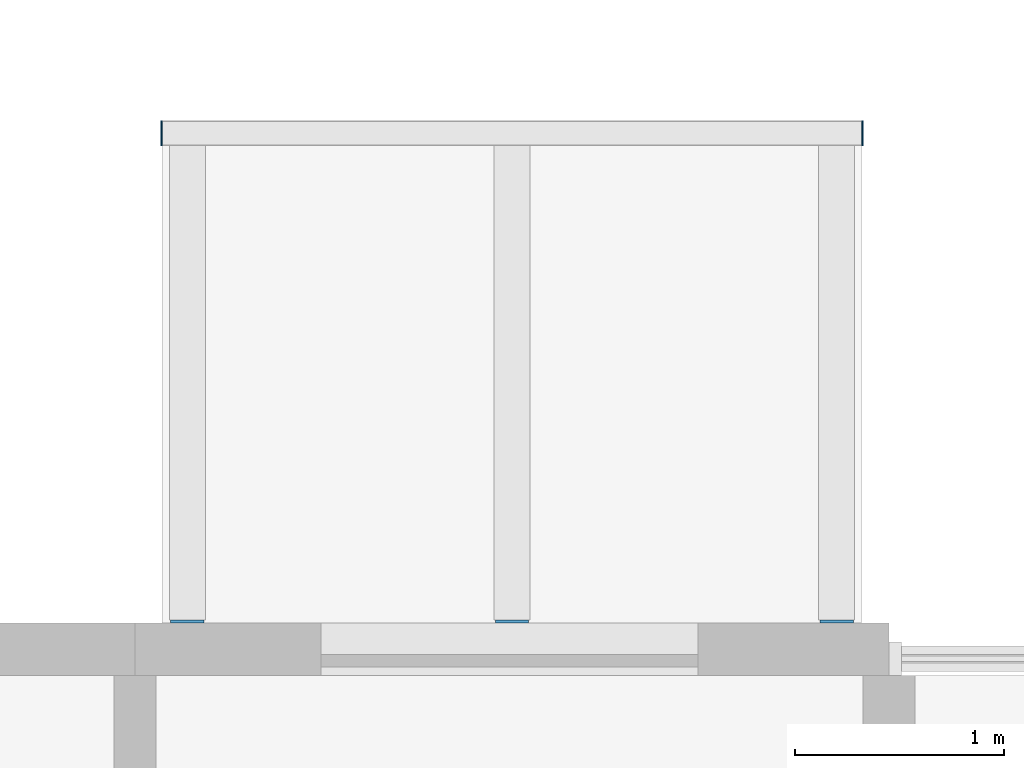
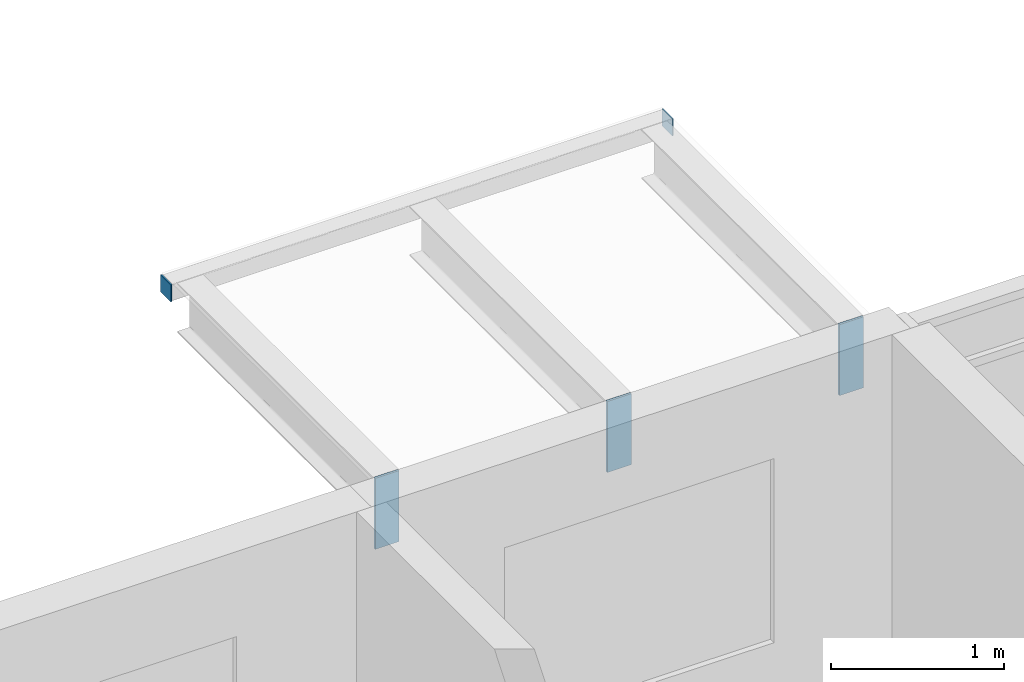
# One storey, part 69 of 94: 5 discrete accessories.
"""IFC4 building model written with IfcOpenShell, lengths in metres."""

from ifc_helpers import new_model, si_unit, direction, frame, origin, origin_2d, place, context, subcontext, project, spatial, rectangle, extrude, material, layer, layer_set, type_object, element, save


model = new_model("IFC4")

# Units and contexts
model_context = context("Model", 3, precision=1e-05, world=origin(), true_north=direction((0.0, 1.0)))
body_context = subcontext(model_context, "Body", "Model", "MODEL_VIEW")
ifc_project = project(units=[si_unit("LENGTHUNIT", "METRE"), si_unit("AREAUNIT", "SQUARE_METRE"), si_unit("VOLUMEUNIT", "CUBIC_METRE"), si_unit("PLANEANGLEUNIT", "RADIAN"), si_unit("MASSUNIT", "GRAM", prefix="KILO")], contexts=[model_context])

# Site, building, storey
site_placement = place(None, origin())
site = spatial("IfcSite", under=ifc_project, at=site_placement, CompositionType="ELEMENT")
building_placement = place(site_placement, origin())
building = spatial("IfcBuilding", under=site, at=building_placement, Name="Ridgestep Commons", CompositionType="ELEMENT")
storey_placement = place(building_placement, frame((0.0, 0.0, 24.0)))
storey = spatial("IfcBuildingStorey", under=building, at=storey_placement, Name="L08", CompositionType="ELEMENT", Elevation=24.0)

# Discrete accessories
ifc_material_1 = material(Name="Weathering steel S355J2W", Category="steel")
ifc_layer_1 = layer(ifc_material_1, 0.014892578125)
ifc_layer_set_1 = layer_set([ifc_layer_1], Name="Tray bracket plate 15")
discrete_accessory_type_1 = type_object("IfcDiscreteAccessoryType", Name="Tray bracket plate 15", PredefinedType="BRACKET", material=ifc_layer_set_1)
for number, where, z_axis, x_axis, name in (
    (1, (154.25, 23.007568359375, 2.488525390625), (0.0, 0.0, 1.0), (1.0, 0.0, 0.0), "Tray bracket D1T3-09.1"),
    (2, (155.800048828125, 23.007568359375, 2.488525390625), (0.0, 0.0, 1.0), (1.0, 0.0, 0.0), "Tray bracket D1T3-09.2"),
    (3, (157.35009765625, 23.007568359375, 2.488525390625), (0.0, 0.0, 1.0), (1.0, 0.0, 0.0), "Tray bracket D1T3-09.3"),
):
    element("IfcDiscreteAccessory", number, at=place(storey_placement, frame(where, z_axis=z_axis, x_axis=x_axis)), inside=storey, type_object=discrete_accessory_type_1, Name=name, PredefinedType="BRACKET", context=body_context, shape_type="SweptSolid", body=[
        extrude(rectangle(XDim=0.159912109375, YDim=0.014892578125, at=origin_2d()), origin(), (0.0, 0.0, 1.0), 0.50146484375),
    ])
ifc_material_2 = material(Name="Weathering steel S355J2W", Category="steel")
ifc_layer_2 = layer(ifc_material_2, 0.008056640625)
ifc_layer_set_2 = layer_set([ifc_layer_2], Name="Tray edge member end plate 120 x 120 x 8")
discrete_accessory_type_2 = type_object("IfcDiscreteAccessoryType", Name="Tray edge member end plate 120 x 120 x 8", PredefinedType="BRACKET", material=ifc_layer_set_2)
for number, where, z_axis, x_axis, name in (
    (4, (154.1259765625, 25.340087890625, 2.869873046875), (0.0, 0.0, 1.0), (1.0, 0.0, 0.0), "Tray edge member end plate D1T3-09 west"),
    (5, (157.47412109375, 25.340087890625, 2.869873046875), (0.0, 0.0, 1.0), (1.0, 0.0, 0.0), "Tray edge member end plate D1T3-09 east"),
):
    element("IfcDiscreteAccessory", number, at=place(storey_placement, frame(where, z_axis=z_axis, x_axis=x_axis)), inside=storey, type_object=discrete_accessory_type_2, Name=name, PredefinedType="BRACKET", context=body_context, shape_type="SweptSolid", body=[
        extrude(rectangle(XDim=0.008056640625, YDim=0.1201171875, at=origin_2d()), origin(), (0.0, 0.0, 1.0), 0.1201171875),
    ])

save(model, "model.ifc")
